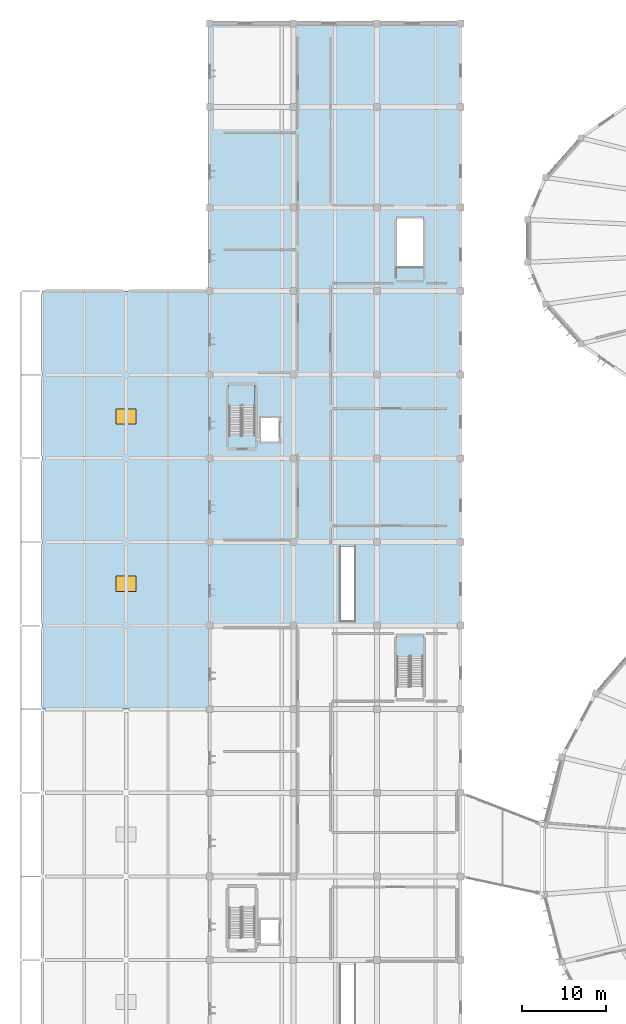
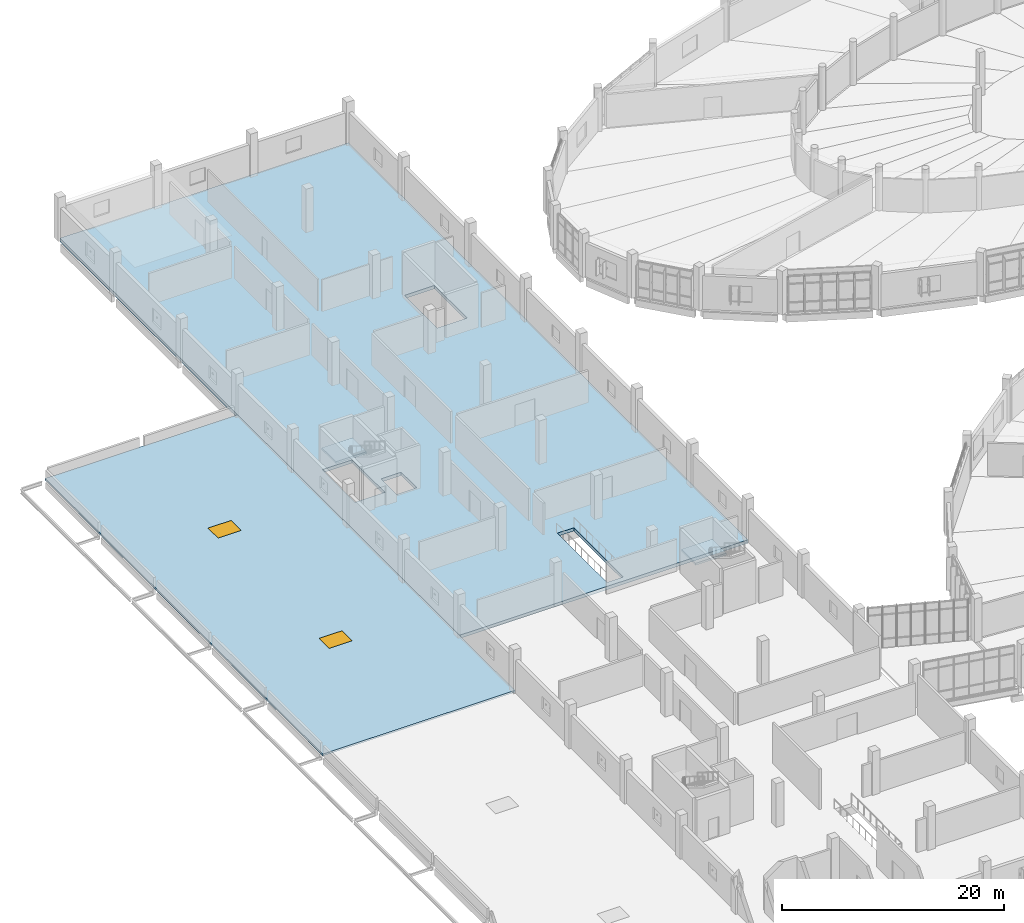
# One storey, part 91 of 179: 4 slabs, 2 windows, 2 openings, 2 elements without a shape of their own.
"""IFC4 building model written with IfcOpenShell, lengths in metres."""

from ifc_helpers import new_model, si_unit, direction, frame, origin, origin_2d, place, context, subcontext, project, spatial, polyline, rectangle, outline, extrude, material, layer, layer_set, type_object, element, fill, aggregate, save


model = new_model("IFC4")

# Units and contexts
model_context = context("Model", 3, precision=1e-05, world=origin(), true_north=direction((0.0, 1.0)))
body_context = subcontext(model_context, "Body", "Model", "MODEL_VIEW")
ifc_project = project(units=[si_unit("LENGTHUNIT", "METRE"), si_unit("AREAUNIT", "SQUARE_METRE"), si_unit("VOLUMEUNIT", "CUBIC_METRE"), si_unit("PLANEANGLEUNIT", "RADIAN"), si_unit("MASSUNIT", "GRAM", prefix="KILO")], contexts=[model_context])

# Site, building, storey
site_placement = place(None, origin())
site = spatial("IfcSite", under=ifc_project, at=site_placement, CompositionType="ELEMENT")
building_placement = place(site_placement, origin())
building = spatial("IfcBuilding", under=site, at=building_placement, Name="Corvandel Quay Wholesale Market", CompositionType="ELEMENT")
storey_placement = place(building_placement, frame((0.0, 0.0, 6.0)))
storey = spatial("IfcBuildingStorey", under=building, at=storey_placement, Name="L01", CompositionType="ELEMENT", Elevation=6.0)

# Slab
ifc_material_1 = material(Name="Concrete C40/50", Category="concrete")
ifc_layer_1 = layer(ifc_material_1, 0.360107421875)
ifc_layer_set_1 = layer_set([ifc_layer_1], Name="Concrete C40/50")
slab_type_1 = type_object("IfcSlabType", Name="Composite Ripening Suite Floor Slab 360", PredefinedType="FLOOR", material=ifc_layer_set_1)
slab_1_placement = place(storey_placement, frame((0.0, 0.0, -0.360107421875)))
element("IfcSlab", 1, at=slab_1_placement, inside=storey, type_object=slab_type_1, Name="Slab SLB-0455", PredefinedType="FLOOR", context=body_context, shape_type="SweptSolid", body=[
    extrude(outline(polyline([(20.0, 142.0), (50.0, 142.0), (50.0, 70.0), (20.0, 70.0), (20.0, 142.0)]), holes=[polyline([(37.35009765625, 70.550048828125), (37.35009765625, 79.47998046875), (35.64990234375, 79.47998046875), (35.64990234375, 70.550048828125), (37.35009765625, 70.550048828125)]), polyline([(28.25, 92.0), (28.25, 94.800048828125), (26.14990234375, 94.800048828125), (26.14990234375, 92.0), (28.25, 92.0)]), polyline([(25.39990234375, 92.800048828125), (25.39990234375, 98.699951171875), (22.300048828125, 98.699951171875), (22.300048828125, 92.800048828125), (25.39990234375, 92.800048828125)]), polyline([(42.39990234375, 112.800048828125), (45.5, 112.800048828125), (45.5, 118.699951171875), (42.39990234375, 118.699951171875), (42.39990234375, 112.800048828125)])]), origin(), (0.0, 0.0, 1.0), 0.360107421875),
])

# Slab, openings, windows
ifc_material_2 = material(Name="Precast concrete C45/55", Category="concrete")
ifc_layer_2 = layer(ifc_material_2, 0.199951171875)
ifc_layer_set_2 = layer_set([ifc_layer_2], Name="Precast concrete C45/55")
slab_type_2 = type_object("IfcSlabType", Name="Insulated Flat Precast Roof Slab 200", PredefinedType="ROOF", material=ifc_layer_set_2)
slab_2_placement = place(storey_placement, frame((0.0, 0.0, -0.199951171875)))
slab_2 = element("IfcSlab", 2, at=slab_2_placement, inside=storey, type_object=slab_type_2, Name="Slab SLB-0451", PredefinedType="ROOF", context=body_context, shape_type="SweptSolid", body=[
    extrude(outline(polyline([(0.0, 60.0), (20.0, 60.0), (20.0, 110.0), (0.0, 110.0), (0.0, 60.0)])), origin(), (0.0, 0.0, 1.0), 0.199951171875),
])
opening_1_placement = place(slab_2_placement, frame((10.0, 75.0, 0.0)))
opening_1 = element("IfcOpeningElement", 3, at=opening_1_placement, cuts=slab_2, Name="Opening L01-SK004", PredefinedType="OPENING", context=body_context, shape_type="SweptSolid", body=[
    extrude(rectangle(XDim=2.39990234375, YDim=1.800048828125, at=origin_2d()), origin(), (0.0, 0.0, 1.0), 0.199951171875),
])
opening_2_placement = place(slab_2_placement, frame((10.0, 95.0, 0.0)))
opening_2 = element("IfcOpeningElement", 4, at=opening_2_placement, cuts=slab_2, Name="Opening L01-SK005", PredefinedType="OPENING", context=body_context, shape_type="SweptSolid", body=[
    extrude(rectangle(XDim=2.39990234375, YDim=1.800048828125, at=origin_2d()), origin(), (0.0, 0.0, 1.0), 0.199951171875),
])
ifc_material_3 = material(Name="Thermally broken bronze anodised aluminium and solar-control low-E double glazing", Category="aluminium")
window_type = type_object("IfcWindowType", Name="Dock Canopy Daylight Skylight SK04 2400x1800", PartitioningType="SINGLE_PANEL", PredefinedType="SKYLIGHT", material=ifc_material_3)
window_1_placement = place(opening_1_placement, frame((0.0, 0.0, 0.14990234375)))
window_1 = element("IfcWindow", 5, at=window_1_placement, inside=storey, type_object=window_type, Name="Roof Skylight L01-SK004", OverallHeight=1.800048828125, OverallWidth=2.39990234375, PartitioningType="SINGLE_PANEL", PredefinedType="SKYLIGHT", context=body_context, shape_type="SweptSolid", body=[
    extrude(rectangle(XDim=2.39990234375, YDim=1.800048828125, at=origin_2d()), origin(), (0.0, 0.0, 1.0), 0.050048828125),
])
fill(opening_1, window_1)
window_2_placement = place(opening_2_placement, frame((0.0, 0.0, 0.14990234375)))
window_2 = element("IfcWindow", 6, at=window_2_placement, inside=storey, type_object=window_type, Name="Roof Skylight L01-SK005", OverallHeight=1.800048828125, OverallWidth=2.39990234375, PartitioningType="SINGLE_PANEL", PredefinedType="SKYLIGHT", context=body_context, shape_type="SweptSolid", body=[
    extrude(rectangle(XDim=2.39990234375, YDim=1.800048828125, at=origin_2d()), origin(), (0.0, 0.0, 1.0), 0.050048828125),
])
fill(opening_2, window_2)

# Stair, slab
stair_type = type_object("IfcStairType", Name="Exit Stair Two-Return L01-L02 ST02", PredefinedType="USERDEFINED", material=ifc_material_1)
stair_1_placement = place(storey_placement, origin())
stair_1 = element("IfcStair", 7, at=stair_1_placement, inside=storey, type_object=stair_type, Name="Exit Stair STR-021", ObjectType="TWO_RETURN_STAIR", PredefinedType="USERDEFINED")
ifc_layer_3 = layer(ifc_material_1, 0.219970703125)
ifc_layer_set_3 = layer_set([ifc_layer_3], Name="Concrete C40/50")
slab_type_3 = type_object("IfcSlabType", Name="Precast Stair Landing LND02 220", PredefinedType="LANDING", material=ifc_layer_set_3)
slab_3_placement = place(storey_placement, frame((0.0, 0.0, 2.179931640625)))
slab_3 = element("IfcSlab", 8, at=slab_3_placement, type_object=slab_type_3, Name="Stair Landing STR-021-LND", PredefinedType="LANDING", context=body_context, shape_type="SweptSolid", body=[
    extrude(outline(polyline([(22.260009765625, 96.18994140625), (25.43994140625, 96.18994140625), (25.43994140625, 98.739990234375), (22.260009765625, 98.739990234375), (22.260009765625, 96.18994140625)])), origin(), (0.0, 0.0, 1.0), 0.219970703125),
])
aggregate(stair_1, [slab_3])

stair_2_placement = place(storey_placement, origin())
stair_2 = element("IfcStair", 9, at=stair_2_placement, inside=storey, type_object=stair_type, Name="Exit Stair STR-023", ObjectType="TWO_RETURN_STAIR", PredefinedType="USERDEFINED")
slab_4_placement = place(storey_placement, frame((0.0, 0.0, 2.179931640625)))
slab_4 = element("IfcSlab", 10, at=slab_4_placement, type_object=slab_type_3, Name="Stair Landing STR-023-LND", PredefinedType="LANDING", context=body_context, shape_type="SweptSolid", body=[
    extrude(outline(polyline([(42.360107421875, 66.18994140625), (45.5400390625, 66.18994140625), (45.5400390625, 68.739990234375), (42.360107421875, 68.739990234375), (42.360107421875, 66.18994140625)])), origin(), (0.0, 0.0, 1.0), 0.219970703125),
])
aggregate(stair_2, [slab_4])

save(model, "model.ifc")
